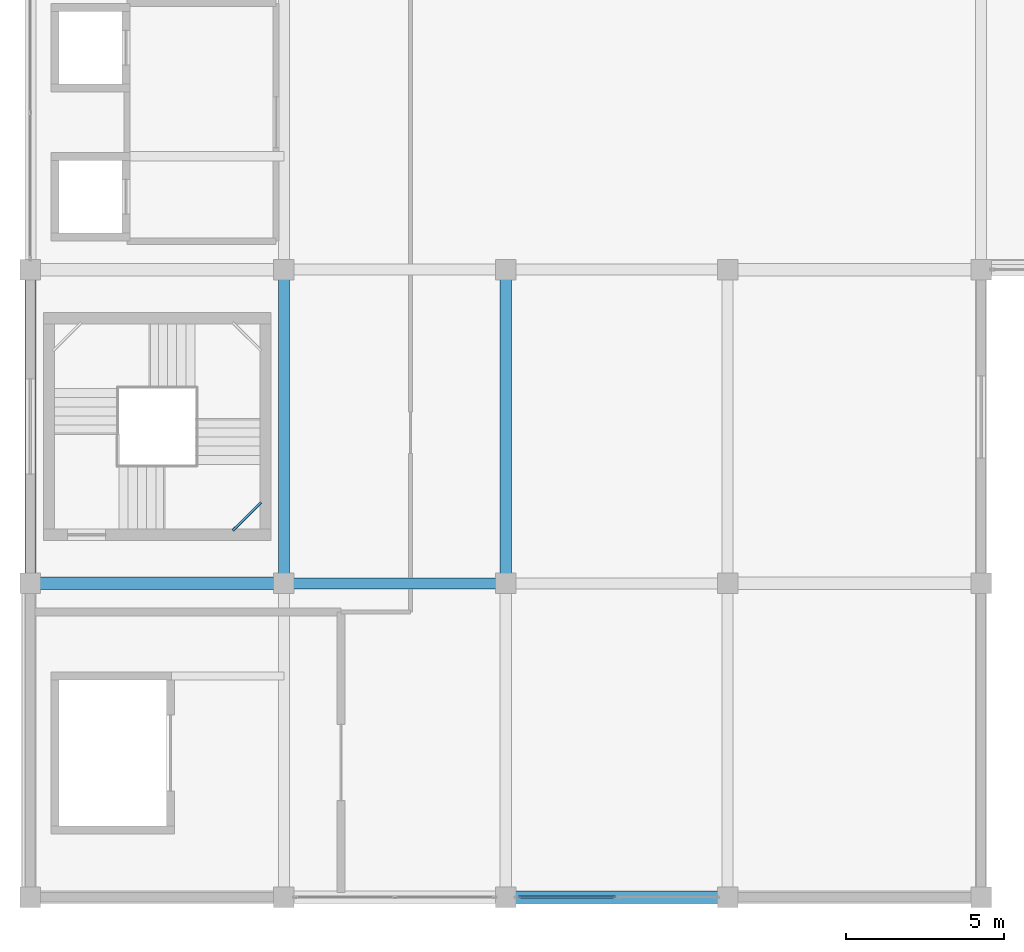
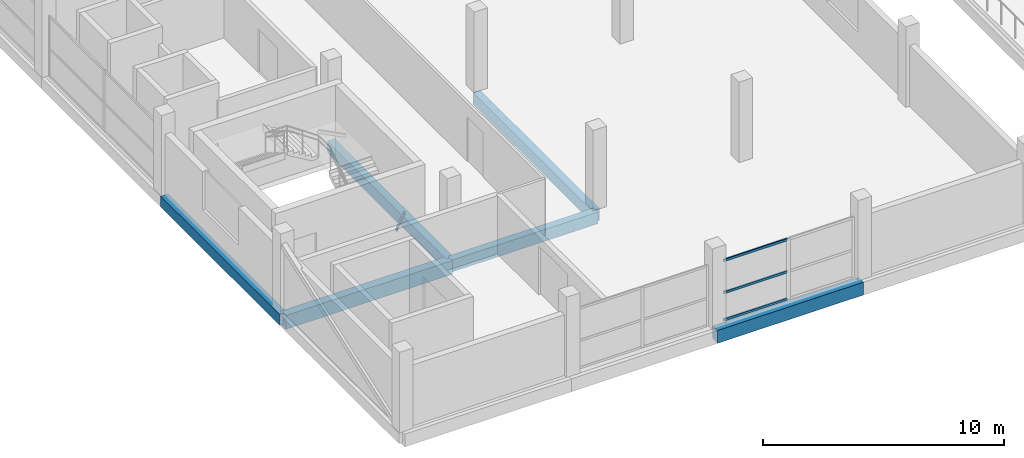
# One storey, part 3 of 53: 7 beams, 3 members, 1 element without a shape of its own.
"""IFC4 building model written with IfcOpenShell, lengths in metres."""

from ifc_helpers import new_model, si_unit, direction, frame, origin, origin_2d, place, context, subcontext, project, spatial, rectangle, hollow_rectangle, extrude, material, layer, layer_set, material_profile, profile_set, type_object, element, aggregate, save


model = new_model("IFC4")

# Units and contexts
model_context = context("Model", 3, precision=1e-05, world=origin(), true_north=direction((0.0, 1.0)))
body_context = subcontext(model_context, "Body", "Model", "MODEL_VIEW")
ifc_project = project(units=[si_unit("LENGTHUNIT", "METRE"), si_unit("AREAUNIT", "SQUARE_METRE"), si_unit("VOLUMEUNIT", "CUBIC_METRE"), si_unit("PLANEANGLEUNIT", "RADIAN"), si_unit("MASSUNIT", "GRAM", prefix="KILO")], contexts=[model_context])

# Site, building, storey
site_placement = place(None, origin())
site = spatial("IfcSite", under=ifc_project, at=site_placement, CompositionType="ELEMENT")
building_placement = place(site_placement, origin())
building = spatial("IfcBuilding", under=site, at=building_placement, Name="Sillaruma Civic Art Gallery", CompositionType="ELEMENT")
storey_placement = place(building_placement, frame((0.0, 0.0, 70.3798828125)))
storey = spatial("IfcBuildingStorey", under=building, at=storey_placement, Name="L14", CompositionType="ELEMENT", Elevation=70.3798828125)

# Beams
ifc_material_1 = material(Name="Concrete H35 (35 MPa)", Category="concrete")
ifc_material_profile_1 = material_profile(ifc_material_1, rectangle(XDim=0.35009765625, YDim=0.60009765625, at=origin_2d()), Name="RCB350x600")
ifc_profile_set_1 = profile_set([ifc_material_profile_1], Name="Concrete H35 (35 MPa)")
beam_type_1 = type_object("IfcBeamType", Name="BM-BEAM-RCB350x600", PredefinedType="BEAM", material=ifc_profile_set_1)
beam_1_placement = place(storey_placement, frame((70.0, 29.699951171875, -0.5498046875), z_axis=(1.0, 0.0, 0.0), x_axis=(0.0, 1.0, 0.0)))
element("IfcBeam", 1, at=beam_1_placement, inside=storey, type_object=beam_type_1, Name="Beam BM-06 (L13:4:G-H)", PredefinedType="BEAM", context=body_context, shape_type="SweptSolid", body=[
    extrude(rectangle(XDim=0.35009765625, YDim=0.60009765625, at=origin_2d()), origin(), (0.0, 0.0, 1.0), 7.0),
])
for number, where, z_axis, x_axis, name in (
    (2, (70.0, 29.699951171875, -0.5498046875), (0.0, 1.0, 0.0), (-1.0, 0.0, 0.0), "Beam BM-06 (L13:G:4-5)"),
    (3, (77.0, 29.699951171875, -0.5498046875), (0.0, 1.0, 0.0), (-1.0, 0.0, 0.0), "Beam BM-06 (L13:H:4-5)"),
):
    element("IfcBeam", number, at=place(storey_placement, frame(where, z_axis=z_axis, x_axis=x_axis)), inside=storey, type_object=beam_type_1, Name=name, PredefinedType="BEAM", context=body_context, shape_type="SweptSolid", body=[
        extrude(rectangle(XDim=0.35009765625, YDim=0.60009765625, at=origin_2d()), origin(), (0.0, 0.0, 1.0), 9.900146484375),
    ])
ifc_material_profile_2 = material_profile(ifc_material_1, rectangle(XDim=0.39990234375, YDim=0.699951171875, at=origin_2d()), Name="RCB400x700")
ifc_profile_set_2 = profile_set([ifc_material_profile_2], Name="Concrete H35 (35 MPa)")
beam_type_2 = type_object("IfcBeamType", Name="BM-BEAM-RCB400x700", PredefinedType="BEAM", material=ifc_profile_set_2)
beam_2_placement = place(storey_placement, frame((62.0, 29.699951171875, -0.599853515625), z_axis=(1.0, 0.0, 0.0), x_axis=(0.0, 1.0, 0.0)))
element("IfcBeam", 4, at=beam_2_placement, inside=storey, type_object=beam_type_2, Name="Beam BM-04 (L13:4:F-G)", PredefinedType="BEAM", context=body_context, shape_type="SweptSolid", body=[
    extrude(rectangle(XDim=0.39990234375, YDim=0.699951171875, at=origin_2d()), origin(), (0.0, 0.0, 1.0), 8.0),
])
ifc_material_2 = material(Name="Structural Steel ASTM A500 Gr.C", Category="steel")
ifc_material_profile_3 = material_profile(ifc_material_2, hollow_rectangle(XDim=0.080078125, YDim=0.159912109375, WallThickness=0.008056640625, InnerFilletRadius=0.008056640625, OuterFilletRadius=0.01611328125, at=origin_2d()), Name="HSS160x80x8")
ifc_profile_set_3 = profile_set([ifc_material_profile_3], Name="Structural Steel ASTM A500 Gr.C")
beam_type_3 = type_object("IfcBeamType", Name="BM-LND-HSS160", PredefinedType="BEAM", material=ifc_profile_set_3)
beam_3_placement = place(storey_placement, frame((68.389892578125, 31.3701171875, 0.740234375), z_axis=(0.707203758046, 0.707009791025, 0.0), x_axis=(-0.707009791025, 0.707203758046, 0.0)))
element("IfcBeam", 5, at=beam_3_placement, inside=storey, type_object=beam_type_3, Name="Stair Corner Landing Trimmer Beam (ST-03-L14-1)", PredefinedType="BEAM", context=body_context, shape_type="SweptSolid", body=[
    extrude(hollow_rectangle(XDim=0.080078125, YDim=0.159912109375, WallThickness=0.008056640625, InnerFilletRadius=0.008056640625, OuterFilletRadius=0.01611328125, at=origin_2d()), origin(), (0.0, 0.0, 1.0), 1.2587890625),
])
ifc_material_profile_4 = material_profile(ifc_material_1, rectangle(XDim=0.35009765625, YDim=0.550048828125, at=origin_2d()), Name="RCB350x550")
ifc_profile_set_4 = profile_set([ifc_material_profile_4], Name="Concrete H35 (35 MPa)")
beam_type_4 = type_object("IfcBeamType", Name="BM-SPANDREL-RCB350x550", PredefinedType="SPANDREL", material=ifc_profile_set_4)
beam_4_placement = place(storey_placement, frame((62.0, 29.699951171875, -0.52490234375), z_axis=(0.0, 1.0, 0.0), x_axis=(-1.0, 0.0, 0.0)))
element("IfcBeam", 6, at=beam_4_placement, inside=storey, type_object=beam_type_4, Name="Beam BS-04 (L13:F:4-5)", PredefinedType="SPANDREL", context=body_context, shape_type="SweptSolid", body=[
    extrude(rectangle(XDim=0.35009765625, YDim=0.550048828125, at=origin_2d()), origin(), (0.0, 0.0, 1.0), 9.900146484375),
])
ifc_material_profile_5 = material_profile(ifc_material_1, rectangle(XDim=0.39990234375, YDim=0.64990234375, at=origin_2d()), Name="RCB400x650")
ifc_profile_set_5 = profile_set([ifc_material_profile_5], Name="Concrete H35 (35 MPa)")
beam_type_5 = type_object("IfcBeamType", Name="BM-SPANDREL-RCB400x650", PredefinedType="SPANDREL", material=ifc_profile_set_5)
beam_5_placement = place(storey_placement, frame((77.0, 19.800048828125, -0.574951171875), z_axis=(1.0, 0.0, 0.0), x_axis=(0.0, 1.0, 0.0)))
element("IfcBeam", 7, at=beam_5_placement, inside=storey, type_object=beam_type_5, Name="Beam BS-02 (L13:3:H-J)", PredefinedType="SPANDREL", context=body_context, shape_type="SweptSolid", body=[
    extrude(rectangle(XDim=0.39990234375, YDim=0.64990234375, at=origin_2d()), origin(), (0.0, 0.0, 1.0), 7.0),
])

# Curtain wall, members
ifc_material_3 = material(Name="Thermally Broken Extruded Aluminium 6063-T6", Category="aluminium")
ifc_layer = layer(ifc_material_3, 0.179931640625, Name="Thermally Broken Extruded Aluminium 6063-T6")
ifc_layer_set = layer_set([ifc_layer], Name="Thermally Broken Extruded Aluminium 6063-T6")
curtain_wall_type = type_object("IfcCurtainWallType", Name="CW-UNI-109", PredefinedType="NOTDEFINED", material=ifc_layer_set)
curtain_wall_placement = place(storey_placement, origin())
curtain_wall = element("IfcCurtainWall", 8, at=curtain_wall_placement, inside=storey, type_object=curtain_wall_type, Name="Unitised Curtain Wall CW-109 (CW-L14-WBS-3)", PredefinedType="NOTDEFINED")
ifc_material_profile_6 = material_profile(ifc_material_3, hollow_rectangle(XDim=0.06494140625, YDim=0.1201171875, WallThickness=0.00341796875, at=origin_2d()), Name="CWT65x120")
ifc_profile_set_6 = profile_set([ifc_material_profile_6], Name="Thermally Broken Extruded Aluminium 6063-T6")
member_type = type_object("IfcMemberType", Name="MEM-TRN-CWT65x120", PredefinedType="USERDEFINED", material=ifc_profile_set_6)
member_1_placement = place(storey_placement, frame((77.39501953125, 19.800048828125, 0.03271484375), z_axis=(1.0, 0.0, 0.0), x_axis=(0.0, 1.0, 0.0)))
member_1 = element("IfcMember", 9, at=member_1_placement, type_object=member_type, Name="CW-109 transom 1.1", ObjectType="TRANSOM", PredefinedType="USERDEFINED", context=body_context, shape_type="SweptSolid", body=[
    extrude(hollow_rectangle(XDim=0.06494140625, YDim=0.1201171875, WallThickness=0.00341796875, at=origin_2d()), origin(), (0.0, 0.0, 1.0), 3.070068359375),
])
member_2_placement = place(storey_placement, frame((77.39501953125, 19.800048828125, 1.4169921875), z_axis=(1.0, 0.0, 0.0), x_axis=(0.0, 1.0, 0.0)))
member_2 = element("IfcMember", 10, at=member_2_placement, type_object=member_type, Name="CW-109 transom 1.2", ObjectType="TRANSOM", PredefinedType="USERDEFINED", context=body_context, shape_type="SweptSolid", body=[
    extrude(hollow_rectangle(XDim=0.06494140625, YDim=0.1201171875, WallThickness=0.00341796875, at=origin_2d()), origin(), (0.0, 0.0, 1.0), 3.070068359375),
])
member_3_placement = place(storey_placement, frame((77.39501953125, 19.800048828125, 3.047607421875), z_axis=(1.0, 0.0, 0.0), x_axis=(0.0, 1.0, 0.0)))
member_3 = element("IfcMember", 11, at=member_3_placement, type_object=member_type, Name="CW-109 transom 1.3", ObjectType="TRANSOM", PredefinedType="USERDEFINED", context=body_context, shape_type="SweptSolid", body=[
    extrude(hollow_rectangle(XDim=0.06494140625, YDim=0.1201171875, WallThickness=0.00341796875, at=origin_2d()), origin(), (0.0, 0.0, 1.0), 3.070068359375),
])
aggregate(curtain_wall, [member_1, member_2, member_3])

save(model, "model.ifc")
